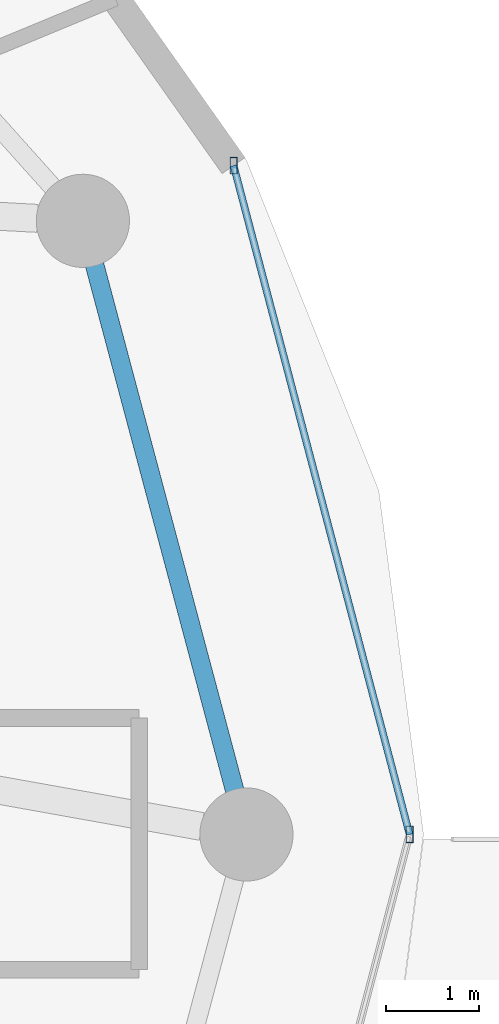
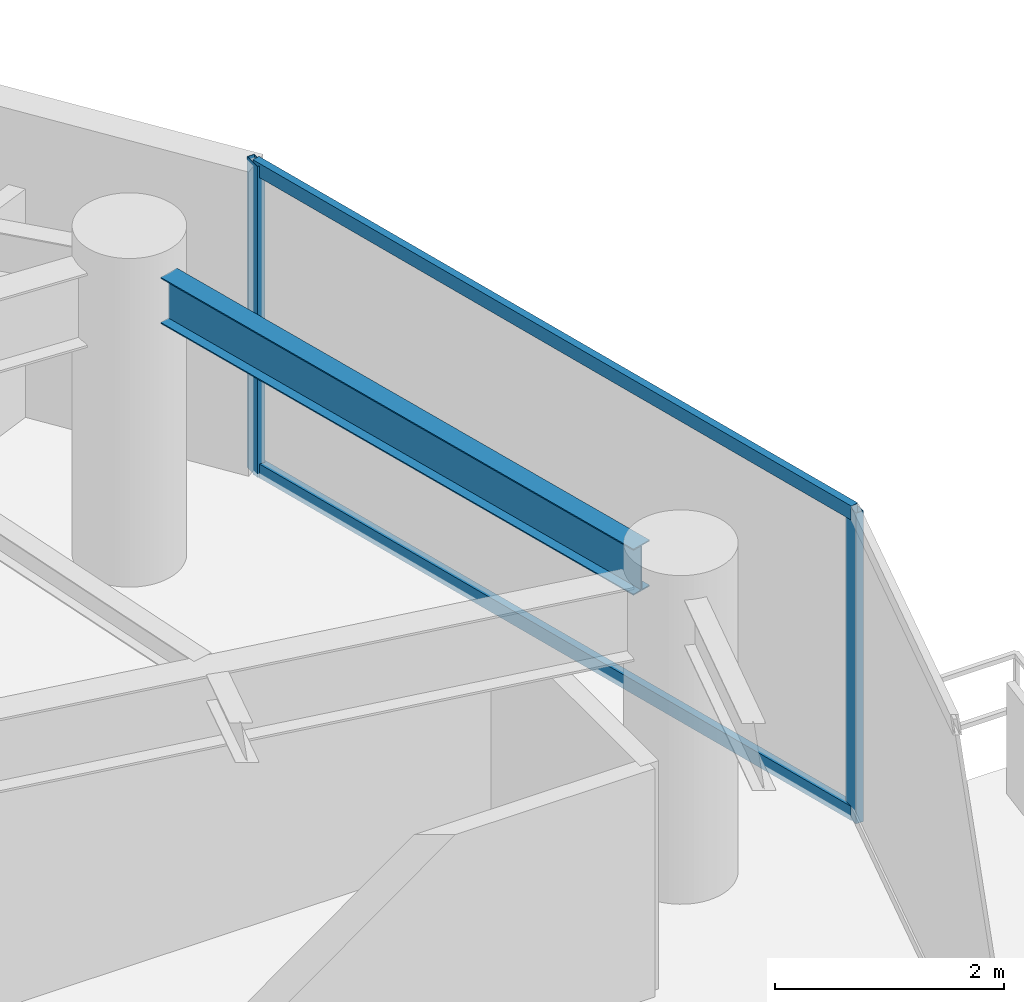
# One storey, part 15 of 29: 4 members, 1 beam, 1 element without a shape of its own.
"""IFC4 building model written with IfcOpenShell, lengths in metres."""

import ifcopenshell
import ifcopenshell.guid

model = None  # the IFC model being written
_history = None  # IfcOwnerHistory: only IFC2X3 demands one
_inside = {}  # id of a spatial element -> (the spatial element, [elements in it])
_under = {}  # id of a project, library or spatial element -> (it, [spatial elements below it])
_declared = {}  # id of a project -> (the project, [libraries it declares])
_typed = {}  # id of a type object -> (the type object, [elements of that type])
_made_of = {}  # id of a material, layer set ... -> (it, [elements and type objects made of it])


def new_model(schema):
    """Start an empty IFC model of exactly this schema.

    Asked for "IFC4X3", IfcOpenShell would pick the latest addendum, in which some entities
    have other attributes; the version numbers below select the first issue.
    IFC2X3 requires an IfcOwnerHistory on every rooted entity: one is made here for all.
    """
    global model, _history
    if schema == "IFC4X3":
        model = ifcopenshell.file(schema_version=(4, 3, 0, 0))
    else:
        model = ifcopenshell.file(schema=schema)
    _inside.clear()
    _under.clear()
    _declared.clear()
    _typed.clear()
    _made_of.clear()
    _history = None
    if model.schema == "IFC2X3":
        org = make("IfcOrganization", Name="unknown")
        user = make(
            "IfcPersonAndOrganization",
            ThePerson=make("IfcPerson", FamilyName="unknown"),
            TheOrganization=org,
        )
        app = make(
            "IfcApplication",
            ApplicationDeveloper=org,
            Version="unknown",
            ApplicationFullName="unknown",
            ApplicationIdentifier="unknown",
        )
        _history = make(
            "IfcOwnerHistory",
            OwningUser=user,
            OwningApplication=app,
            ChangeAction="ADDED",
            CreationDate=0,
        )
    return model


def make(cls, **values):
    """One entity of the class cls with the attributes given. An attribute that is None is left unset."""
    return model.create_entity(
        cls, **{name: value for name, value in values.items() if value is not None}
    )


def rooted(cls, **values):
    """An entity with a GlobalId (a new one), such as an element, a storey or a relation."""
    return make(cls, GlobalId=ifcopenshell.guid.new(), OwnerHistory=_history, **values)


def si_unit(unit_type, name, prefix=None):
    """IfcSIUnit, for example si_unit("LENGTHUNIT", "METRE", prefix="MILLI")."""
    return make("IfcSIUnit", UnitType=unit_type, Prefix=prefix, Name=name)


def assignment(units):
    """IfcUnitAssignment: the units of a project."""
    return None if units is None else make("IfcUnitAssignment", Units=units)


def point(xyz):
    """IfcCartesianPoint."""
    return None if xyz is None else make("IfcCartesianPoint", Coordinates=xyz)


def direction(xyz):
    """IfcDirection."""
    return None if xyz is None else make("IfcDirection", DirectionRatios=xyz)


def frame(location, z_axis=None, x_axis=None):
    """IfcAxis2Placement3D, a coordinate frame: its origin and axes. An axis left out is left unset."""
    return make(
        "IfcAxis2Placement3D",
        Location=point(location),
        Axis=direction(z_axis),
        RefDirection=direction(x_axis),
    )


def frame_2d(location, x_axis=None):
    """IfcAxis2Placement2D, a coordinate frame in the plane: its origin and x axis."""
    return make(
        "IfcAxis2Placement2D", Location=point(location), RefDirection=direction(x_axis)
    )


def origin():
    """The frame at (0, 0, 0) with its axes left unset."""
    return frame((0.0, 0.0, 0.0))


def origin_2d():
    """The frame at (0, 0) in the plane with its x axis left unset."""
    return frame_2d((0.0, 0.0))


def place(relative_to, where):
    """IfcLocalPlacement: puts the frame where relative to a parent placement (None: the world)."""
    return make(
        "IfcLocalPlacement", PlacementRelTo=relative_to, RelativePlacement=where
    )


def context(
    kind, dimensions, precision=None, world=None, true_north=None, identifier=None
):
    """IfcGeometricRepresentationContext, for example the 3D "Model" context."""
    return make(
        "IfcGeometricRepresentationContext",
        ContextIdentifier=identifier,
        ContextType=kind,
        CoordinateSpaceDimension=dimensions,
        Precision=precision,
        WorldCoordinateSystem=world,
        TrueNorth=true_north,
    )


def subcontext(parent, identifier, kind, view, scale=None):
    """IfcGeometricRepresentationSubContext, for example "Body" below "Model"."""
    return make(
        "IfcGeometricRepresentationSubContext",
        ContextIdentifier=identifier,
        ContextType=kind,
        ParentContext=parent,
        TargetScale=scale,
        TargetView=view,
    )


def project(units=None, contexts=None):
    """IfcProject with its units and contexts."""
    return rooted(
        "IfcProject",
        Name="project",
        RepresentationContexts=contexts,
        UnitsInContext=assignment(units),
    )


def spatial(cls, under=None, at=None, **own):
    """A site, building, storey or space (cls), placed at a placement, below another one or the project."""
    s = rooted(cls, ObjectPlacement=at, **own)
    if under is not None:
        _under.setdefault(under.id(), (under, []))[1].append(s)
    return s


def profile(cls, at=None, kind="AREA", **sizes):
    """A parametric profile (cls). Its sizes go by their IFC names, for example OverallWidth=200.0."""
    return make(cls, ProfileType=kind, Position=at, **sizes)


def hollow_rectangle(**sizes):
    """IfcRectangleHollowProfileDef."""
    return profile("IfcRectangleHollowProfileDef", **sizes)


def i_section(**sizes):
    """IfcIShapeProfileDef."""
    return profile("IfcIShapeProfileDef", **sizes)


def extrude(swept, where, along, depth):
    """IfcExtrudedAreaSolid: the profile swept, set in the frame where, extruded along a direction by depth."""
    return make(
        "IfcExtrudedAreaSolid",
        SweptArea=swept,
        Position=where,
        ExtrudedDirection=direction(along),
        Depth=depth,
    )


def shape(context_of_items, identifier, shape_type, items):
    """IfcShapeRepresentation: the items that make up one representation, for example the "Body"."""
    return make(
        "IfcShapeRepresentation",
        ContextOfItems=context_of_items,
        RepresentationIdentifier=identifier,
        RepresentationType=shape_type,
        Items=items,
    )


def material(Name=None, Category=None):
    """IfcMaterial."""
    return make("IfcMaterial", Name=Name, Category=Category)


def material_profile(
    of_material, cross_section, Name=None, Category=None, Priority=None
):
    """IfcMaterialProfile: a cross section and its material."""
    return make(
        "IfcMaterialProfile",
        Name=Name,
        Material=of_material,
        Profile=cross_section,
        Priority=Priority,
        Category=Category,
    )


def profile_set(profiles, Name=None, composite=None):
    """IfcMaterialProfileSet."""
    return make(
        "IfcMaterialProfileSet",
        Name=Name,
        MaterialProfiles=profiles,
        CompositeProfile=composite,
    )


def made_of(thing, what):
    """Note that an element or type object is made of a material, layer set ...; save() writes the relation."""
    if what is not None:
        _made_of.setdefault(what.id(), (what, []))[1].append(thing)
    return thing


def type_object(cls, material=None, **own):
    """A type object (cls), such as IfcWallType, which elements share."""
    return made_of(rooted(cls, **own), material)


def element(
    cls,
    number,
    at=None,
    inside=None,
    cuts=None,
    type_object=None,
    material=None,
    context=None,
    identifier="Body",
    shape_type=None,
    held_by="IfcProductDefinitionShape",
    body=None,
    shapes=None,
    **own,
):
    """One element of the class cls, such as IfcWall. Its Tag is "e" and its number.

    at: its placement. inside: the storey or other place that contains it. cuts: it is an
    opening in that element (IfcRelVoidsElement). A single representation is given by context,
    identifier, shape_type and body (its items); several are given by shapes. held_by: the class
    of the entity that holds the representations. save() writes the other relations.
    """
    e = rooted(cls, Tag="e%d" % number, ObjectPlacement=at, **own)
    if body is not None:
        shapes = [shape(context, identifier, shape_type, body)]
    if shapes is not None:
        e.Representation = make(held_by, Representations=shapes)
    if inside is not None:
        _inside.setdefault(inside.id(), (inside, []))[1].append(e)
    if cuts is not None:
        rooted(
            "IfcRelVoidsElement", RelatingBuildingElement=cuts, RelatedOpeningElement=e
        )
    if type_object is not None:
        _typed.setdefault(type_object.id(), (type_object, []))[1].append(e)
    return made_of(e, material)


def aggregate(whole, parts):
    """IfcRelAggregates: a whole, such as a stair, and the parts it consists of."""
    return rooted("IfcRelAggregates", RelatingObject=whole, RelatedObjects=parts)


def save(model, path):
    """Write the relations noted so far, then the file.

    IfcRelAggregates (storeys below a building ...), IfcRelContainedInSpatialStructure (elements
    in a storey), IfcRelDefinesByType, IfcRelAssociatesMaterial and IfcRelDeclares: one each for
    every whole, place, type object, material and project.
    """
    for whole, parts in _under.values():
        aggregate(whole, parts)
    for where, things in _inside.values():
        rooted(
            "IfcRelContainedInSpatialStructure",
            RelatedElements=things,
            RelatingStructure=where,
        )
    for kind, things in _typed.values():
        rooted("IfcRelDefinesByType", RelatedObjects=things, RelatingType=kind)
    for what, things in _made_of.values():
        rooted("IfcRelAssociatesMaterial", RelatedObjects=things, RelatingMaterial=what)
    for by, libraries in _declared.values():
        rooted("IfcRelDeclares", RelatingContext=by, RelatedDefinitions=libraries)
    model.write(path)


model = new_model("IFC4")

# Units and contexts
model_context = context("Model", 3, precision=1e-05, world=origin(), true_north=direction((0.0, 1.0)))
body_context = subcontext(model_context, "Body", "Model", "MODEL_VIEW")
ifc_project = project(units=[si_unit("LENGTHUNIT", "METRE"), si_unit("AREAUNIT", "SQUARE_METRE"), si_unit("VOLUMEUNIT", "CUBIC_METRE"), si_unit("PLANEANGLEUNIT", "RADIAN"), si_unit("MASSUNIT", "GRAM", prefix="KILO")], contexts=[model_context])

# Site, building, storey
site_placement = place(None, origin())
site = spatial("IfcSite", under=ifc_project, at=site_placement, CompositionType="ELEMENT")
building_placement = place(site_placement, origin())
building = spatial("IfcBuilding", under=site, at=building_placement, Name="Vorneva Point Tower", CompositionType="ELEMENT")
storey_placement = place(building_placement, frame((0.0, 0.0, 167.60009765625)))
storey = spatial("IfcBuildingStorey", under=building, at=storey_placement, Name="L45", CompositionType="ELEMENT", Elevation=167.60009765625)

# Beam
ifc_material_1 = material(Name="Steel S355", Category="steel")
ifc_material_profile_1 = material_profile(ifc_material_1, i_section(OverallWidth=0.199951171875, OverallDepth=0.491943359375, WebThickness=0.0087890625, FlangeThickness=0.011962890625, at=origin_2d()), Name="50B1")
ifc_profile_set_1 = profile_set([ifc_material_profile_1], Name="Steel S355")
beam_type = type_object("IfcBeamType", Name="BM-SPN-50B1", PredefinedType="SPANDREL", material=ifc_profile_set_1)
beam_placement = place(storey_placement, frame((60.925048828125, 26.468505859375, 2.993896484375), z_axis=(-0.257550804648, 0.966264758245, 0.0), x_axis=(-0.966264758245, -0.257550804648, 0.0)))
element("IfcBeam", 1, at=beam_placement, inside=storey, type_object=beam_type, Name="L45 Perimeter Spandrel Ring Beam 01", PredefinedType="SPANDREL", context=body_context, shape_type="SweptSolid", body=[
    extrude(i_section(OverallWidth=0.199951171875, OverallDepth=0.491943359375, WebThickness=0.0087890625, FlangeThickness=0.011962890625, at=origin_2d()), origin(), (0.0, 0.0, 1.0), 5.842041015625),
])

# Curtain wall, members
ifc_material_2 = material(Name="Pale anodised aluminium", Category="aluminium")
curtain_wall_type = type_object("IfcCurtainWallType", Name="CW-RES-SYS", PredefinedType="NOTDEFINED", material=ifc_material_2)
curtain_wall_placement = place(storey_placement, origin())
curtain_wall = element("IfcCurtainWall", 2, at=curtain_wall_placement, inside=storey, type_object=curtain_wall_type, Name="L45 Unitised Curtain Wall CW-L45-R01", PredefinedType="NOTDEFINED")
ifc_material_profile_2 = material_profile(ifc_material_2, hollow_rectangle(XDim=0.074951171875, YDim=0.179931640625, WallThickness=0.00390625, at=origin_2d()), Name="AL-MUL 180x75x4")
ifc_profile_set_2 = profile_set([ifc_material_profile_2], Name="Pale anodised aluminium")
member_type_1 = type_object("IfcMemberType", Name="CW-MUL-180", PredefinedType="MULLION", material=ifc_profile_set_2)
member_1_placement = place(storey_placement, frame((62.800048828125, 26.0, -0.0400390625), z_axis=(0.0, 0.0, 1.0), x_axis=(1.0, 0.0, 0.0)))
member_1 = element("IfcMember", 3, at=member_1_placement, type_object=member_type_1, Name="CW-L45-R01 Mullion 03", PredefinedType="MULLION", context=body_context, shape_type="SweptSolid", body=[
    extrude(hollow_rectangle(XDim=0.074951171875, YDim=0.179931640625, WallThickness=0.00390625, at=origin_2d()), origin(), (0.0, 0.0, 1.0), 3.31005859375),
])
member_2_placement = place(storey_placement, frame((60.912109375, 33.17529296875, -0.0400390625), z_axis=(0.0, 0.0, 1.0), x_axis=(1.0, 0.0, 0.0)))
member_2 = element("IfcMember", 4, at=member_2_placement, type_object=member_type_1, Name="CW-L45-R01 Mullion 04", PredefinedType="MULLION", context=body_context, shape_type="SweptSolid", body=[
    extrude(hollow_rectangle(XDim=0.074951171875, YDim=0.179931640625, WallThickness=0.00390625, at=origin_2d()), origin(), (0.0, 0.0, 1.0), 3.31005859375),
])
ifc_material_profile_3 = material_profile(ifc_material_2, hollow_rectangle(XDim=0.074951171875, YDim=0.14990234375, WallThickness=0.00390625, at=origin_2d()), Name="AL-TRN 150x75x4")
ifc_profile_set_3 = profile_set([ifc_material_profile_3], Name="Pale anodised aluminium")
member_type_2 = type_object("IfcMemberType", Name="CW-TRN-150", PredefinedType="USERDEFINED", material=ifc_profile_set_3)
member_3_placement = place(storey_placement, frame((62.800048828125, 26.0, 0.02001953125), z_axis=(-0.254456046293, 0.967084339913, 0.0), x_axis=(-0.967084339913, -0.254456046293, 0.0)))
member_3 = element("IfcMember", 5, at=member_3_placement, type_object=member_type_2, Name="CW-L45-R01 Transom 03.1", ObjectType="TRANSOM", PredefinedType="USERDEFINED", context=body_context, shape_type="SweptSolid", body=[
    extrude(hollow_rectangle(XDim=0.074951171875, YDim=0.14990234375, WallThickness=0.00390625, at=origin_2d()), origin(), (0.0, 0.0, 1.0), 7.41943359375),
])
member_4_placement = place(storey_placement, frame((62.800048828125, 26.0, 3.219970703125), z_axis=(-0.254456046293, 0.967084339913, 0.0), x_axis=(-0.967084339913, -0.254456046293, 0.0)))
member_4 = element("IfcMember", 6, at=member_4_placement, type_object=member_type_2, Name="CW-L45-R01 Transom 03.2", ObjectType="TRANSOM", PredefinedType="USERDEFINED", context=body_context, shape_type="SweptSolid", body=[
    extrude(hollow_rectangle(XDim=0.074951171875, YDim=0.14990234375, WallThickness=0.00390625, at=origin_2d()), origin(), (0.0, 0.0, 1.0), 7.41943359375),
])
aggregate(curtain_wall, [member_1, member_2, member_3, member_4])

save(model, "model.ifc")
